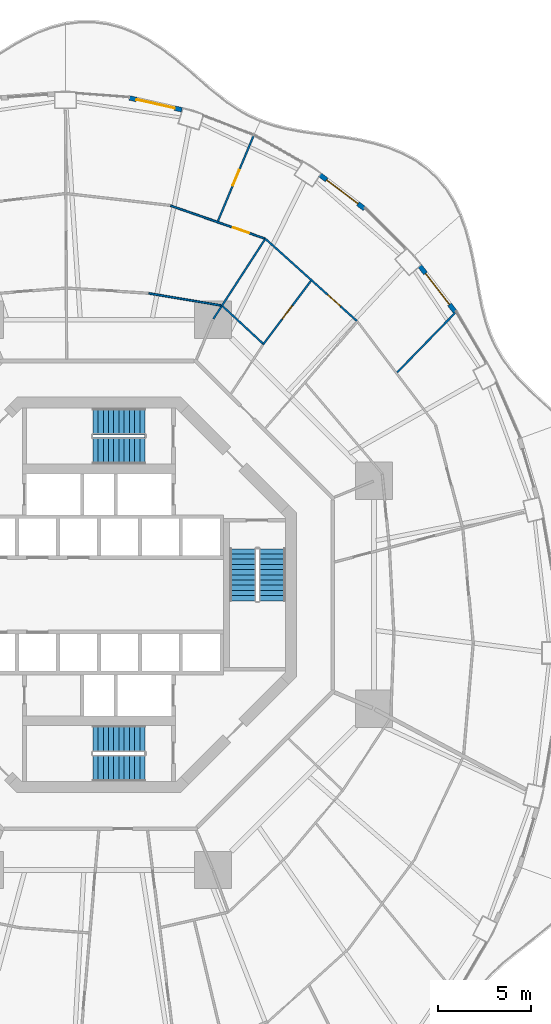
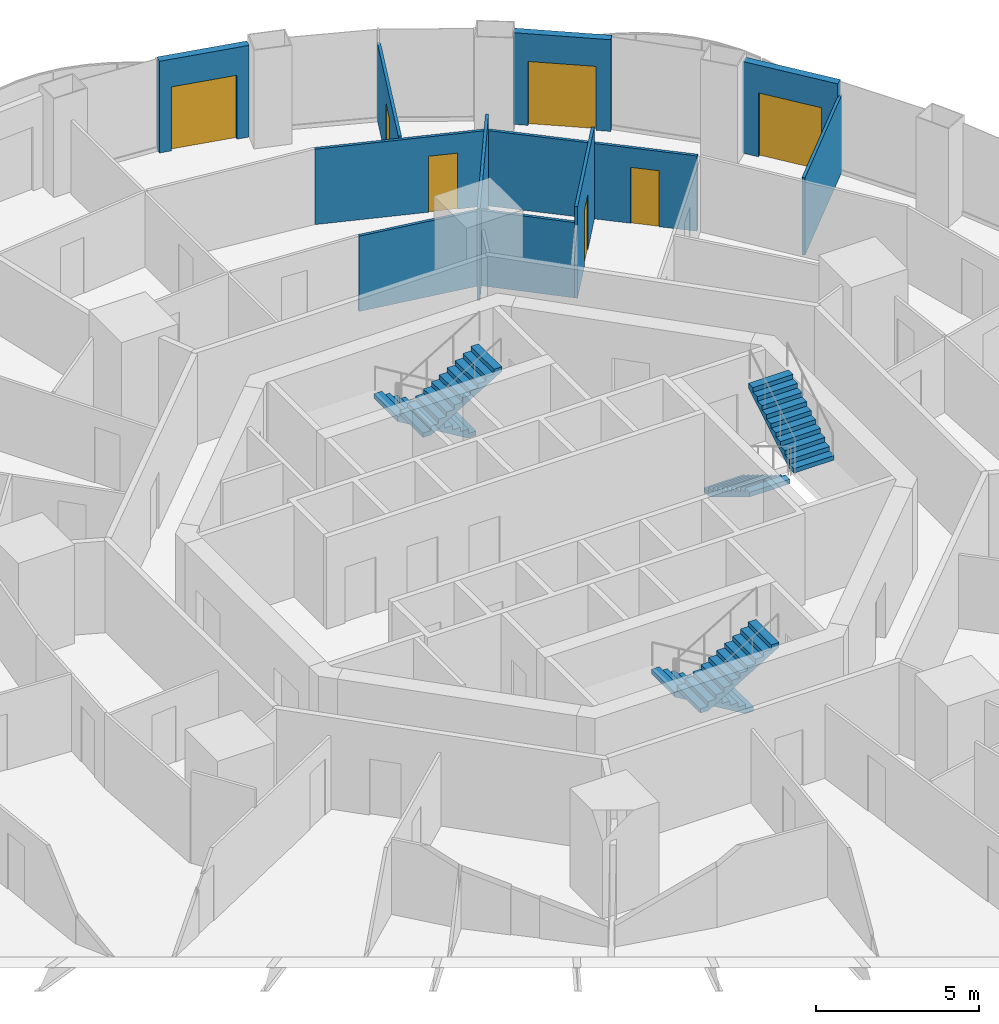
# One storey, part 18 of 21: 11 walls, 7 doors, 6 stair flights, 7 openings, 3 elements without a shape of their own.
"""IFC4 building model written with IfcOpenShell, lengths in metres."""

from ifc_helpers import new_model, si_unit, direction, frame, frame_2d, origin, place, context, subcontext, project, spatial, polyline, rectangle, outline, extrude, material, layer, layer_set, type_object, element, fill, aggregate, save


model = new_model("IFC4")

# Units and contexts
model_context = context("Model", 3, precision=1e-05, world=origin(), true_north=direction((0.0, 1.0)))
body_context = subcontext(model_context, "Body", "Model", "MODEL_VIEW")
ifc_project = project(units=[si_unit("LENGTHUNIT", "METRE"), si_unit("AREAUNIT", "SQUARE_METRE"), si_unit("VOLUMEUNIT", "CUBIC_METRE"), si_unit("PLANEANGLEUNIT", "RADIAN"), si_unit("MASSUNIT", "GRAM", prefix="KILO")], contexts=[model_context])

# Site, building, storey
site_placement = place(None, origin())
site = spatial("IfcSite", under=ifc_project, at=site_placement, CompositionType="ELEMENT")
building_placement = place(site_placement, origin())
building = spatial("IfcBuilding", under=site, at=building_placement, Name="Nagisa Residences", CompositionType="ELEMENT")
storey_placement = place(building_placement, frame((0.0, 0.0, 138.10009765625)))
storey = spatial("IfcBuildingStorey", under=building, at=storey_placement, Name="L34", CompositionType="ELEMENT", Elevation=138.10009765625)

# Wall
ifc_material_1 = material(Name="Gypsum board on steel studs", Category="steel")
ifc_layer_1 = layer(ifc_material_1, 0.10009765625)
ifc_layer_set_1 = layer_set([ifc_layer_1], Name="Apartment partition 100")
wall_type_1 = type_object("IfcWallType", Name="Apartment partition 100", PredefinedType="PARTITIONING", material=ifc_layer_set_1)
wall_1_placement = place(storey_placement, frame((16.01953125, 11.945556640625, 0.0), z_axis=(0.0, 0.0, 1.0), x_axis=(0.697741638446, 0.71634949988, 0.0)))
element("IfcWall", 1, at=wall_1_placement, inside=storey, type_object=wall_type_1, Name="wall:L34:u26", PredefinedType="PARTITIONING", context=body_context, shape_type="SweptSolid", body=[
    extrude(rectangle(XDim=4.592041015625, YDim=0.10009765625, at=frame_2d((2.2958984375, 0.0))), origin(), (0.0, 0.0, 1.0), 2.90478515625),
])

# Wall, opening, door
wall_2_placement = place(storey_placement, frame((13.856201171875, 14.71435546875, 0.0), z_axis=(0.0, 0.0, 1.0), x_axis=(-0.743793479211, 0.668409500444, 0.0)))
wall_2 = element("IfcWall", 2, at=wall_2_placement, inside=storey, type_object=wall_type_1, Name="wall:L34:u28", PredefinedType="PARTITIONING", context=body_context, shape_type="SweptSolid", body=[
    extrude(rectangle(XDim=6.65869140625, YDim=0.10009765625, at=frame_2d((3.329345703125, 0.0))), origin(), (0.0, 0.0, 1.0), 2.827880859375),
])
opening_1_placement = place(wall_2_placement, frame((1.189697265625, 0.0, 0.0)))
opening_1 = element("IfcOpeningElement", 3, at=opening_1_placement, cuts=wall_2, Name="Opening L34-U34", PredefinedType="OPENING", context=body_context, shape_type="SweptSolid", body=[
    extrude(rectangle(XDim=0.89990234375, YDim=2.10009765625, at=frame_2d((0.449951171875, 1.050048828125))), frame((0.0, 0.06005859375, 0.0), z_axis=(0.0, -1.0, 0.0), x_axis=(1.0, 0.0, 0.0)), (0.0, 0.0, 1.0), 0.1201171875),
])
ifc_material_2 = material(Name="Timber door set", Category="wood")
door_type_1 = type_object("IfcDoorType", Name="Apartment door 900x2100", OperationType="NOTDEFINED", PredefinedType="DOOR", material=ifc_material_2)
door_1_placement = place(opening_1_placement, frame((0.89990234375, 0.0, 0.0), x_axis=(-1.0, 0.0, 0.0)))
door_1 = element("IfcDoor", 4, at=door_1_placement, inside=storey, type_object=door_type_1, Name="Door to living room, Apartment 34C", OperationType="SINGLE_SWING_LEFT", OverallHeight=2.10009765625, OverallWidth=0.89990234375, PredefinedType="DOOR", context=body_context, shape_type="SweptSolid", body=[
    extrude(rectangle(XDim=0.89990234375, YDim=2.10009765625, at=frame_2d((0.449951171875, 1.050048828125))), frame((0.0, 0.02490234375, 0.0), z_axis=(0.0, -1.0, 0.0), x_axis=(1.0, 0.0, 0.0)), (0.0, 0.0, 1.0), 0.050048828125),
])
fill(opening_1, door_1)

wall_3_placement = place(storey_placement, frame((8.8095703125, 13.43408203125, 0.0), z_axis=(0.0, 0.0, 1.0), x_axis=(0.600491337497, 0.799631261014, 0.0)))
wall_3 = element("IfcWall", 5, at=wall_3_placement, inside=storey, type_object=wall_type_1, Name="wall:L34:u30", PredefinedType="PARTITIONING", context=body_context, shape_type="SweptSolid", body=[
    extrude(rectangle(XDim=4.292236328125, YDim=0.10009765625, at=frame_2d((2.14599609375, 0.0))), origin(), (0.0, 0.0, 1.0), 3.43994140625),
])
opening_2_placement = place(wall_3_placement, frame((1.72119140625, 0.0, 0.0)))
opening_2 = element("IfcOpeningElement", 6, at=opening_2_placement, cuts=wall_3, Name="Opening L34-U32", PredefinedType="OPENING", context=body_context, shape_type="SweptSolid", body=[
    extrude(rectangle(XDim=0.89990234375, YDim=2.10009765625, at=frame_2d((0.449951171875, 1.050048828125))), frame((0.0, 0.06005859375, 0.0), z_axis=(0.0, -1.0, 0.0), x_axis=(1.0, 0.0, 0.0)), (0.0, 0.0, 1.0), 0.1201171875),
])
door_2_placement = place(opening_2_placement, origin())
door_2 = element("IfcDoor", 7, at=door_2_placement, inside=storey, type_object=door_type_1, Name="Door to family bathroom, Apartment 34C", OperationType="SINGLE_SWING_RIGHT", OverallHeight=2.10009765625, OverallWidth=0.89990234375, PredefinedType="DOOR", context=body_context, shape_type="SweptSolid", body=[
    extrude(rectangle(XDim=0.89990234375, YDim=2.10009765625, at=frame_2d((0.449951171875, 1.050048828125))), frame((0.0, 0.02490234375, 0.0), z_axis=(0.0, -1.0, 0.0), x_axis=(1.0, 0.0, 0.0)), (0.0, 0.0, 1.0), 0.050048828125),
])
fill(opening_2, door_2)

# Walls
wall_4_placement = place(storey_placement, frame((8.802978515625, 13.508056640625, 0.0), z_axis=(0.0, 0.0, 1.0), x_axis=(-0.733130973758, 0.680087476224, 0.0)))
element("IfcWall", 8, at=wall_4_placement, inside=storey, type_object=wall_type_1, Name="wall:L34:u31", PredefinedType="PARTITIONING", context=body_context, shape_type="SweptSolid", body=[
    extrude(rectangle(XDim=2.9365234375, YDim=0.10009765625, at=frame_2d((1.46826171875, 0.0))), origin(), (0.0, 0.0, 1.0), 2.827880859375),
])
wall_5_placement = place(storey_placement, frame((6.150146484375, 14.823974609375, 0.0), z_axis=(0.0, 0.0, 1.0), x_axis=(0.543711280797, 0.839272329542, 0.0)))
element("IfcWall", 9, at=wall_5_placement, inside=storey, type_object=wall_type_1, Name="wall:L34:u33", PredefinedType="PARTITIONING", context=body_context, shape_type="SweptSolid", body=[
    extrude(rectangle(XDim=5.08251953125, YDim=0.10009765625, at=frame_2d((2.541259765625, 0.0))), origin(), (0.0, 0.0, 1.0), 3.43994140625),
])
wall_6_placement = place(storey_placement, frame((6.56396484375, 15.54736328125, 0.0), z_axis=(0.0, 0.0, 1.0), x_axis=(-0.986269521186, 0.165143669511, 0.0)))
element("IfcWall", 10, at=wall_6_placement, inside=storey, type_object=wall_type_1, Name="wall:L34:u34", PredefinedType="PARTITIONING", context=body_context, shape_type="SweptSolid", body=[
    extrude(rectangle(XDim=3.933837890625, YDim=0.10009765625, at=frame_2d((1.966796875, 0.0))), origin(), (0.0, 0.0, 1.0), 2.827880859375),
])

# Wall, opening, door
wall_7_placement = place(storey_placement, frame((8.8935546875, 19.14794921875, 0.0), z_axis=(0.0, 0.0, 1.0), x_axis=(-0.944182005381, 0.329424256414, 0.0)))
wall_7 = element("IfcWall", 11, at=wall_7_placement, inside=storey, type_object=wall_type_1, Name="wall:L34:u35", PredefinedType="PARTITIONING", context=body_context, shape_type="SweptSolid", body=[
    extrude(rectangle(XDim=5.343505859375, YDim=0.10009765625, at=frame_2d((2.671875, 0.0))), origin(), (0.0, 0.0, 1.0), 2.827880859375),
])
opening_3_placement = place(wall_7_placement, frame((0.8857421875, 0.0, 0.0)))
opening_3 = element("IfcOpeningElement", 12, at=opening_3_placement, cuts=wall_7, Name="Opening L34-U38", PredefinedType="OPENING", context=body_context, shape_type="SweptSolid", body=[
    extrude(rectangle(XDim=0.89990234375, YDim=2.10009765625, at=frame_2d((0.449951171875, 1.050048828125))), frame((0.0, 0.06005859375, 0.0), z_axis=(0.0, -1.0, 0.0), x_axis=(1.0, 0.0, 0.0)), (0.0, 0.0, 1.0), 0.1201171875),
])
door_3_placement = place(opening_3_placement, origin())
door_3 = element("IfcDoor", 13, at=door_3_placement, inside=storey, type_object=door_type_1, Name="Door to kitchen, Apartment 34C", OperationType="SINGLE_SWING_RIGHT", OverallHeight=2.10009765625, OverallWidth=0.89990234375, PredefinedType="DOOR", context=body_context, shape_type="SweptSolid", body=[
    extrude(rectangle(XDim=0.89990234375, YDim=2.10009765625, at=frame_2d((0.449951171875, 1.050048828125))), frame((0.0, 0.02490234375, 0.0), z_axis=(0.0, -1.0, 0.0), x_axis=(1.0, 0.0, 0.0)), (0.0, 0.0, 1.0), 0.050048828125),
])
fill(opening_3, door_3)

wall_8_placement = place(storey_placement, frame((6.39013671875, 20.07421875, 0.0), z_axis=(0.0, 0.0, 1.0), x_axis=(0.385304133029, 0.922789642915, 0.0)))
wall_8 = element("IfcWall", 14, at=wall_8_placement, inside=storey, type_object=wall_type_1, Name="wall:L34:u36", PredefinedType="PARTITIONING", context=body_context, shape_type="SweptSolid", body=[
    extrude(rectangle(XDim=5.058349609375, YDim=0.10009765625, at=frame_2d((2.529296875, 0.0))), origin(), (0.0, 0.0, 1.0), 2.90478515625),
])
opening_4_placement = place(wall_8_placement, frame((2.0791015625, 0.0, 0.0)))
opening_4 = element("IfcOpeningElement", 15, at=opening_4_placement, cuts=wall_8, Name="Opening L34-U35", PredefinedType="OPENING", context=body_context, shape_type="SweptSolid", body=[
    extrude(rectangle(XDim=0.89990234375, YDim=2.10009765625, at=frame_2d((0.449951171875, 1.050048828125))), frame((0.0, 0.06005859375, 0.0), z_axis=(0.0, -1.0, 0.0), x_axis=(1.0, 0.0, 0.0)), (0.0, 0.0, 1.0), 0.1201171875),
])
door_4_placement = place(opening_4_placement, origin())
door_4 = element("IfcDoor", 16, at=door_4_placement, inside=storey, type_object=door_type_1, Name="Door to master bedroom, Apartment 34C", OperationType="SINGLE_SWING_LEFT", OverallHeight=2.10009765625, OverallWidth=0.89990234375, PredefinedType="DOOR", context=body_context, shape_type="SweptSolid", body=[
    extrude(rectangle(XDim=0.89990234375, YDim=2.10009765625, at=frame_2d((0.449951171875, 1.050048828125))), frame((0.0, 0.02490234375, 0.0), z_axis=(0.0, -1.0, 0.0), x_axis=(1.0, 0.0, 0.0)), (0.0, 0.0, 1.0), 0.050048828125),
])
fill(opening_4, door_4)

ifc_material_3 = material(Name="Precast concrete C40/50", Category="concrete")
ifc_layer_2 = layer(ifc_material_3, 0.25)
ifc_layer_set_2 = layer_set([ifc_layer_2], Name="BALCONY DOOR WALL 250")
wall_type_2 = type_object("IfcWallType", Name="BALCONY DOOR WALL 250", PredefinedType="SOLIDWALL", material=ifc_layer_set_2)
wall_9_placement = place(storey_placement, frame((17.230224609375, 17.681884765625, 0.0), z_axis=(0.0, 0.0, 1.0), x_axis=(0.610429847179, -0.792070326217, 0.0)))
wall_9 = element("IfcWall", 17, at=wall_9_placement, inside=storey, type_object=wall_type_2, Name="wall:L34:bay05", PredefinedType="SOLIDWALL", context=body_context, shape_type="SweptSolid", body=[
    extrude(rectangle(XDim=3.149169921875, YDim=0.25, at=frame_2d((1.57470703125, 0.0))), origin(), (0.0, 0.0, 1.0), 3.43994140625),
])
opening_5_placement = place(wall_9_placement, frame((0.524658203125, 0.0, 0.0)))
opening_5 = element("IfcOpeningElement", 18, at=opening_5_placement, cuts=wall_9, Name="Opening BD-L34-02", PredefinedType="OPENING", context=body_context, shape_type="SweptSolid", body=[
    extrude(rectangle(XDim=2.10009765625, YDim=2.39990234375, at=frame_2d((1.050048828125, 1.199951171875))), frame((0.0, 0.135009765625, 0.0), z_axis=(0.0, -1.0, 0.0), x_axis=(1.0, 0.0, 0.0)), (0.0, 0.0, 1.0), 0.27001953125),
])
ifc_material_4 = material(Name="Aluminium and clear glass", Category="aluminium")
door_type_2 = type_object("IfcDoorType", Name="BALCONY SLIDING DOOR 2100x2400", OperationType="SLIDING_TO_LEFT", PredefinedType="DOOR", material=ifc_material_4)
door_5_placement = place(opening_5_placement, origin())
door_5 = element("IfcDoor", 19, at=door_5_placement, inside=storey, type_object=door_type_2, Name="door:L34:bay05", OperationType="SLIDING_TO_LEFT", OverallHeight=2.39990234375, OverallWidth=2.10009765625, PredefinedType="DOOR", context=body_context, shape_type="SweptSolid", body=[
    extrude(rectangle(XDim=2.10009765625, YDim=2.39990234375, at=frame_2d((1.050048828125, 1.199951171875))), frame((0.0, 0.02490234375, 0.0), z_axis=(0.0, -1.0, 0.0), x_axis=(1.0, 0.0, 0.0)), (0.0, 0.0, 1.0), 0.050048828125),
])
fill(opening_5, door_5)

wall_10_placement = place(storey_placement, frame((11.869384765625, 22.5693359375, 0.0), z_axis=(0.0, 0.0, 1.0), x_axis=(0.796022231079, -0.605267385233, 0.0)))
wall_10 = element("IfcWall", 20, at=wall_10_placement, inside=storey, type_object=wall_type_2, Name="wall:L34:bay07", PredefinedType="SOLIDWALL", context=body_context, shape_type="SweptSolid", body=[
    extrude(rectangle(XDim=3.025634765625, YDim=0.25, at=frame_2d((1.5126953125, 0.0))), origin(), (0.0, 0.0, 1.0), 3.43994140625),
])
opening_6_placement = place(wall_10_placement, frame((0.462646484375, 0.0, 0.0)))
opening_6 = element("IfcOpeningElement", 21, at=opening_6_placement, cuts=wall_10, Name="Opening BD-L34-03", PredefinedType="OPENING", context=body_context, shape_type="SweptSolid", body=[
    extrude(rectangle(XDim=2.10009765625, YDim=2.39990234375, at=frame_2d((1.050048828125, 1.199951171875))), frame((0.0, 0.135009765625, 0.0), z_axis=(0.0, -1.0, 0.0), x_axis=(1.0, 0.0, 0.0)), (0.0, 0.0, 1.0), 0.27001953125),
])
door_6_placement = place(opening_6_placement, origin())
door_6 = element("IfcDoor", 22, at=door_6_placement, inside=storey, type_object=door_type_2, Name="door:L34:bay07", OperationType="SLIDING_TO_LEFT", OverallHeight=2.39990234375, OverallWidth=2.10009765625, PredefinedType="DOOR", context=body_context, shape_type="SweptSolid", body=[
    extrude(rectangle(XDim=2.10009765625, YDim=2.39990234375, at=frame_2d((1.050048828125, 1.199951171875))), frame((0.0, 0.02490234375, 0.0), z_axis=(0.0, -1.0, 0.0), x_axis=(1.0, 0.0, 0.0)), (0.0, 0.0, 1.0), 0.050048828125),
])
fill(opening_6, door_6)

wall_11_placement = place(storey_placement, frame((1.635986328125, 26.697021484375, 0.0), z_axis=(0.0, 0.0, 1.0), x_axis=(0.975339035722, -0.220711951186, 0.0)))
wall_11 = element("IfcWall", 23, at=wall_11_placement, inside=storey, type_object=wall_type_2, Name="wall:L34:bay10", PredefinedType="SOLIDWALL", context=body_context, shape_type="SweptSolid", body=[
    extrude(rectangle(XDim=2.890380859375, YDim=0.25, at=frame_2d((1.4453125, 0.0))), origin(), (0.0, 0.0, 1.0), 3.43994140625),
])
opening_7_placement = place(wall_11_placement, frame((0.395263671875, 0.0, 0.0)))
opening_7 = element("IfcOpeningElement", 24, at=opening_7_placement, cuts=wall_11, Name="Opening BD-L34-04", PredefinedType="OPENING", context=body_context, shape_type="SweptSolid", body=[
    extrude(rectangle(XDim=2.10009765625, YDim=2.39990234375, at=frame_2d((1.050048828125, 1.199951171875))), frame((0.0, 0.135009765625, 0.0), z_axis=(0.0, -1.0, 0.0), x_axis=(1.0, 0.0, 0.0)), (0.0, 0.0, 1.0), 0.27001953125),
])
door_7_placement = place(opening_7_placement, origin())
door_7 = element("IfcDoor", 25, at=door_7_placement, inside=storey, type_object=door_type_2, Name="door:L34:bay10", OperationType="SLIDING_TO_LEFT", OverallHeight=2.39990234375, OverallWidth=2.10009765625, PredefinedType="DOOR", context=body_context, shape_type="SweptSolid", body=[
    extrude(rectangle(XDim=2.10009765625, YDim=2.39990234375, at=frame_2d((1.050048828125, 1.199951171875))), frame((0.0, 0.02490234375, 0.0), z_axis=(0.0, -1.0, 0.0), x_axis=(1.0, 0.0, 0.0)), (0.0, 0.0, 1.0), 0.050048828125),
])
fill(opening_7, door_7)

# Stair, stair flights
ifc_material_5 = material(Name="Concrete C60", Category="concrete")
stair_type = type_object("IfcStairType", Name="Exit stair", PredefinedType="HALF_TURN_STAIR", material=ifc_material_5)
stair_1_placement = place(storey_placement, origin())
stair_1 = element("IfcStair", 26, at=stair_1_placement, inside=storey, type_object=stair_type, Name="L34 Exit stair E", PredefinedType="HALF_TURN_STAIR")
ifc_material_6 = material(Name="Concrete C60", Category="concrete")
stair_flight_type = type_object("IfcStairFlightType", Name="Exit stair flight", PredefinedType="STRAIGHT", material=ifc_material_6)
stair_flight_1_placement = place(storey_placement, frame((7.737060546875, 2.47509765625, 0.0), z_axis=(0.0, 0.0, 1.0), x_axis=(0.0, -1.0, 0.0)))
stair_flight_1 = element("IfcStairFlight", 27, at=stair_flight_1_placement, type_object=stair_flight_type, Name="ST-E flight 1", NumberOfRisers=11, NumberOfTreads=10, PredefinedType="STRAIGHT", RiserHeight=0.168181818, TreadLength=0.28, context=body_context, shape_type="SweptSolid", body=[
    extrude(outline(polyline([(0.0, 0.0), (0.0, 0.168212890625), (0.280029296875, 0.168212890625), (0.280029296875, 0.33642578125), (0.56005859375, 0.33642578125), (0.56005859375, 0.504638671875), (0.840087890625, 0.504638671875), (0.840087890625, 0.672607421875), (1.1201171875, 0.672607421875), (1.1201171875, 0.8408203125), (1.39990234375, 0.8408203125), (1.39990234375, 1.009033203125), (1.679931640625, 1.009033203125), (1.679931640625, 1.17724609375), (1.9599609375, 1.17724609375), (1.9599609375, 1.345458984375), (2.239990234375, 1.345458984375), (2.239990234375, 1.513671875), (2.52001953125, 1.513671875), (2.52001953125, 1.681884765625), (2.800048828125, 1.681884765625), (2.800048828125, 1.85009765625), (2.800048828125, 1.5068359375), (0.291015625, 0.0), (0.0, 0.0)])), frame((0.0, 0.71240234375, 0.0), z_axis=(0.0, -1.0, 0.0), x_axis=(1.0, 0.0, 0.0)), (0.0, 0.0, 1.0), 1.425048828125),
])
stair_flight_2_placement = place(storey_placement, frame((9.31201171875, -0.324951171875, 1.849853515625), z_axis=(0.0, 0.0, 1.0), x_axis=(0.0, 1.0, 0.0)))
stair_flight_2 = element("IfcStairFlight", 28, at=stair_flight_2_placement, type_object=stair_flight_type, Name="ST-E flight 2", NumberOfRisers=11, NumberOfTreads=10, PredefinedType="STRAIGHT", RiserHeight=0.168181818, TreadLength=0.28, context=body_context, shape_type="SweptSolid", body=[
    extrude(outline(polyline([(0.0, 0.0), (0.0, 0.168212890625), (0.280029296875, 0.168212890625), (0.280029296875, 0.33642578125), (0.56005859375, 0.33642578125), (0.56005859375, 0.504638671875), (0.840087890625, 0.504638671875), (0.840087890625, 0.672607421875), (1.1201171875, 0.672607421875), (1.1201171875, 0.8408203125), (1.39990234375, 0.8408203125), (1.39990234375, 1.009033203125), (1.679931640625, 1.009033203125), (1.679931640625, 1.17724609375), (1.9599609375, 1.17724609375), (1.9599609375, 1.345458984375), (2.239990234375, 1.345458984375), (2.239990234375, 1.513671875), (2.52001953125, 1.513671875), (2.52001953125, 1.681884765625), (2.800048828125, 1.681884765625), (2.800048828125, 1.85009765625), (2.800048828125, 1.5068359375), (0.291015625, 0.0), (0.0, 0.0)])), frame((0.0, 0.71240234375, 0.0), z_axis=(0.0, -1.0, 0.0), x_axis=(1.0, 0.0, 0.0)), (0.0, 0.0, 1.0), 1.425048828125),
])
aggregate(stair_1, [stair_flight_1, stair_flight_2])

stair_2_placement = place(storey_placement, origin())
stair_2 = element("IfcStair", 29, at=stair_2_placement, inside=storey, type_object=stair_type, Name="L34 Exit stair N", PredefinedType="HALF_TURN_STAIR")
stair_flight_3_placement = place(storey_placement, frame((2.47509765625, 9.31201171875, 0.0), z_axis=(0.0, 0.0, 1.0), x_axis=(-1.0, 0.0, 0.0)))
stair_flight_3 = element("IfcStairFlight", 30, at=stair_flight_3_placement, type_object=stair_flight_type, Name="ST-N flight 1", NumberOfRisers=11, NumberOfTreads=10, PredefinedType="STRAIGHT", RiserHeight=0.168181818, TreadLength=0.28, context=body_context, shape_type="SweptSolid", body=[
    extrude(outline(polyline([(0.0, 0.0), (0.0, 0.168212890625), (0.280029296875, 0.168212890625), (0.280029296875, 0.33642578125), (0.56005859375, 0.33642578125), (0.56005859375, 0.504638671875), (0.840087890625, 0.504638671875), (0.840087890625, 0.672607421875), (1.1201171875, 0.672607421875), (1.1201171875, 0.8408203125), (1.39990234375, 0.8408203125), (1.39990234375, 1.009033203125), (1.679931640625, 1.009033203125), (1.679931640625, 1.17724609375), (1.9599609375, 1.17724609375), (1.9599609375, 1.345458984375), (2.239990234375, 1.345458984375), (2.239990234375, 1.513671875), (2.52001953125, 1.513671875), (2.52001953125, 1.681884765625), (2.800048828125, 1.681884765625), (2.800048828125, 1.85009765625), (2.800048828125, 1.5068359375), (0.291015625, 0.0), (0.0, 0.0)])), frame((0.0, 0.71240234375, 0.0), z_axis=(0.0, -1.0, 0.0), x_axis=(1.0, 0.0, 0.0)), (0.0, 0.0, 1.0), 1.425048828125),
])
stair_flight_4_placement = place(storey_placement, frame((-0.324951171875, 7.737060546875, 1.849853515625), z_axis=(0.0, 0.0, 1.0), x_axis=(1.0, 0.0, 0.0)))
stair_flight_4 = element("IfcStairFlight", 31, at=stair_flight_4_placement, type_object=stair_flight_type, Name="ST-N flight 2", NumberOfRisers=11, NumberOfTreads=10, PredefinedType="STRAIGHT", RiserHeight=0.168181818, TreadLength=0.28, context=body_context, shape_type="SweptSolid", body=[
    extrude(outline(polyline([(0.0, 0.0), (0.0, 0.168212890625), (0.280029296875, 0.168212890625), (0.280029296875, 0.33642578125), (0.56005859375, 0.33642578125), (0.56005859375, 0.504638671875), (0.840087890625, 0.504638671875), (0.840087890625, 0.672607421875), (1.1201171875, 0.672607421875), (1.1201171875, 0.8408203125), (1.39990234375, 0.8408203125), (1.39990234375, 1.009033203125), (1.679931640625, 1.009033203125), (1.679931640625, 1.17724609375), (1.9599609375, 1.17724609375), (1.9599609375, 1.345458984375), (2.239990234375, 1.345458984375), (2.239990234375, 1.513671875), (2.52001953125, 1.513671875), (2.52001953125, 1.681884765625), (2.800048828125, 1.681884765625), (2.800048828125, 1.85009765625), (2.800048828125, 1.5068359375), (0.291015625, 0.0), (0.0, 0.0)])), frame((0.0, 0.71240234375, 0.0), z_axis=(0.0, -1.0, 0.0), x_axis=(1.0, 0.0, 0.0)), (0.0, 0.0, 1.0), 1.425048828125),
])
aggregate(stair_2, [stair_flight_3, stair_flight_4])

stair_3_placement = place(storey_placement, origin())
stair_3 = element("IfcStair", 32, at=stair_3_placement, inside=storey, type_object=stair_type, Name="L34 Exit stair S", PredefinedType="HALF_TURN_STAIR")
stair_flight_5_placement = place(storey_placement, frame((2.47509765625, -7.737060546875, 0.0), z_axis=(0.0, 0.0, 1.0), x_axis=(-1.0, 0.0, 0.0)))
stair_flight_5 = element("IfcStairFlight", 33, at=stair_flight_5_placement, type_object=stair_flight_type, Name="ST-S flight 1", NumberOfRisers=11, NumberOfTreads=10, PredefinedType="STRAIGHT", RiserHeight=0.168181818, TreadLength=0.28, context=body_context, shape_type="SweptSolid", body=[
    extrude(outline(polyline([(0.0, 0.0), (0.0, 0.168212890625), (0.280029296875, 0.168212890625), (0.280029296875, 0.33642578125), (0.56005859375, 0.33642578125), (0.56005859375, 0.504638671875), (0.840087890625, 0.504638671875), (0.840087890625, 0.672607421875), (1.1201171875, 0.672607421875), (1.1201171875, 0.8408203125), (1.39990234375, 0.8408203125), (1.39990234375, 1.009033203125), (1.679931640625, 1.009033203125), (1.679931640625, 1.17724609375), (1.9599609375, 1.17724609375), (1.9599609375, 1.345458984375), (2.239990234375, 1.345458984375), (2.239990234375, 1.513671875), (2.52001953125, 1.513671875), (2.52001953125, 1.681884765625), (2.800048828125, 1.681884765625), (2.800048828125, 1.85009765625), (2.800048828125, 1.5068359375), (0.291015625, 0.0), (0.0, 0.0)])), frame((0.0, 0.71240234375, 0.0), z_axis=(0.0, -1.0, 0.0), x_axis=(1.0, 0.0, 0.0)), (0.0, 0.0, 1.0), 1.425048828125),
])
stair_flight_6_placement = place(storey_placement, frame((-0.324951171875, -9.31201171875, 1.849853515625), z_axis=(0.0, 0.0, 1.0), x_axis=(1.0, 0.0, 0.0)))
stair_flight_6 = element("IfcStairFlight", 34, at=stair_flight_6_placement, type_object=stair_flight_type, Name="ST-S flight 2", NumberOfRisers=11, NumberOfTreads=10, PredefinedType="STRAIGHT", RiserHeight=0.168181818, TreadLength=0.28, context=body_context, shape_type="SweptSolid", body=[
    extrude(outline(polyline([(0.0, 0.0), (0.0, 0.168212890625), (0.280029296875, 0.168212890625), (0.280029296875, 0.33642578125), (0.56005859375, 0.33642578125), (0.56005859375, 0.504638671875), (0.840087890625, 0.504638671875), (0.840087890625, 0.672607421875), (1.1201171875, 0.672607421875), (1.1201171875, 0.8408203125), (1.39990234375, 0.8408203125), (1.39990234375, 1.009033203125), (1.679931640625, 1.009033203125), (1.679931640625, 1.17724609375), (1.9599609375, 1.17724609375), (1.9599609375, 1.345458984375), (2.239990234375, 1.345458984375), (2.239990234375, 1.513671875), (2.52001953125, 1.513671875), (2.52001953125, 1.681884765625), (2.800048828125, 1.681884765625), (2.800048828125, 1.85009765625), (2.800048828125, 1.5068359375), (0.291015625, 0.0), (0.0, 0.0)])), frame((0.0, 0.71240234375, 0.0), z_axis=(0.0, -1.0, 0.0), x_axis=(1.0, 0.0, 0.0)), (0.0, 0.0, 1.0), 1.425048828125),
])
aggregate(stair_3, [stair_flight_5, stair_flight_6])

save(model, "model.ifc")
